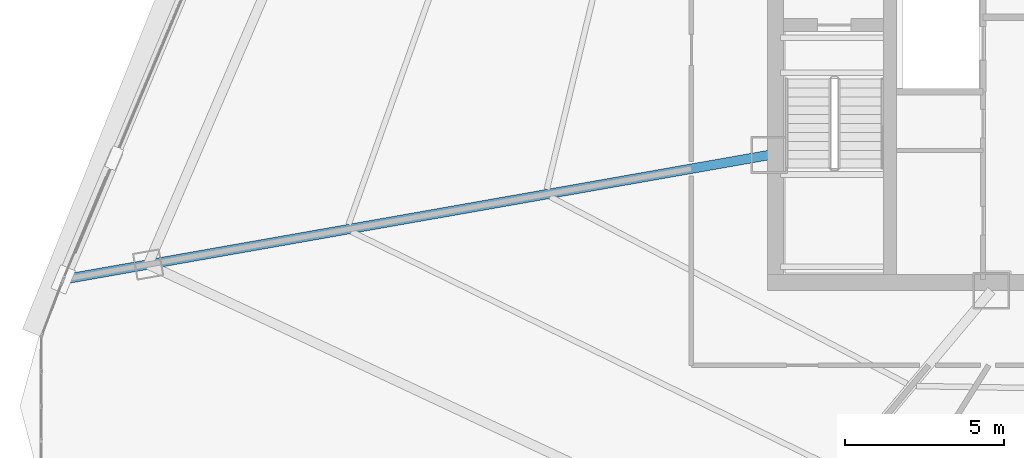
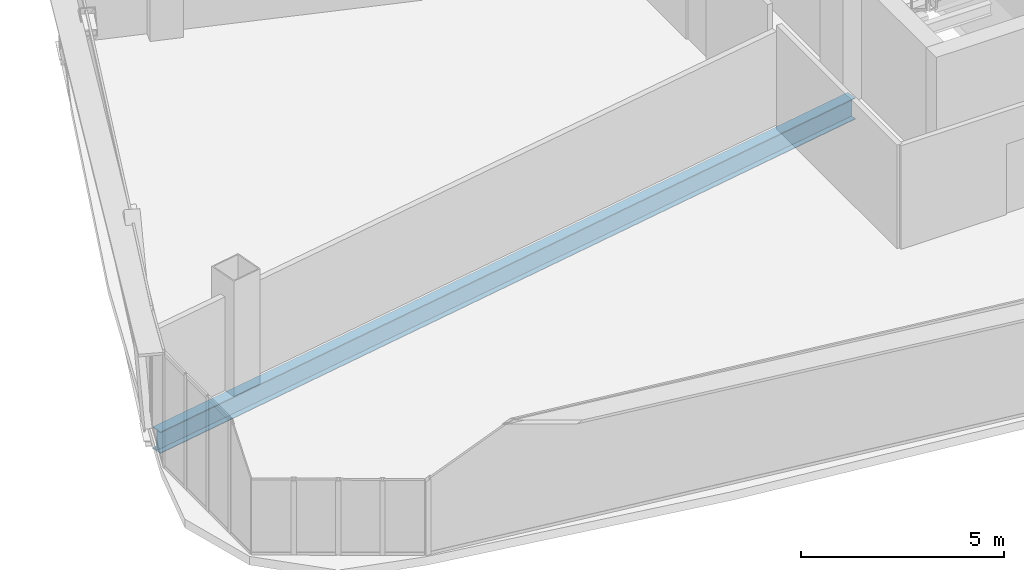
# One storey, part 5 of 37: 1 beam.
"""IFC4 building model written with IfcOpenShell, lengths in metres."""

from ifc_helpers import new_model, si_unit, direction, frame, origin, origin_2d, place, context, subcontext, project, spatial, i_section, extrude, source, transform, mapped, material, material_profile, profile_set, type_object, element, save


model = new_model("IFC4")

# Units and contexts
model_context = context("Model", 3, precision=1e-05, world=origin(), true_north=direction((0.0, 1.0)))
body_context = subcontext(model_context, "Body", "Model", "MODEL_VIEW")
ifc_project = project(units=[si_unit("LENGTHUNIT", "METRE"), si_unit("AREAUNIT", "SQUARE_METRE"), si_unit("VOLUMEUNIT", "CUBIC_METRE"), si_unit("PLANEANGLEUNIT", "RADIAN"), si_unit("MASSUNIT", "GRAM", prefix="KILO"), si_unit("THERMODYNAMICTEMPERATUREUNIT", "KELVIN"), si_unit("POWERUNIT", "WATT")], contexts=[model_context])

# Site, building, storey
site_placement = place(None, origin())
site = spatial("IfcSite", under=ifc_project, at=site_placement, CompositionType="ELEMENT")
building_placement = place(site_placement, origin())
building = spatial("IfcBuilding", under=site, at=building_placement, Name="Yunzhuo Pagoda Commons", CompositionType="ELEMENT")
storey_placement = place(building_placement, frame((0.0, 0.0, 240.800048828125)))
storey = spatial("IfcBuildingStorey", under=building, at=storey_placement, Name="L60", CompositionType="ELEMENT", Elevation=240.800048828125)

# Beam
ifc_material = material(Name="Structural steel Q355B", Category="steel")
ifc_material_profile = material_profile(ifc_material, i_section(OverallWidth=0.300048828125, OverallDepth=0.64990234375, WebThickness=0.012939453125, FlangeThickness=0.02197265625, at=origin_2d()), Name="Structural steel Q355B")
ifc_profile_set = profile_set([ifc_material_profile], Name="Structural steel Q355B")
beam_type = type_object("IfcBeamType", Name="B-RG2 Beam HN 650x300x13x22", PredefinedType="BEAM", material=ifc_profile_set)
shared_shape = source(origin(), body_context, "Body", "SweptSolid", [
    extrude(i_section(OverallWidth=0.300048828125, OverallDepth=0.64990234375, WebThickness=0.012939453125, FlangeThickness=0.02197265625, at=origin_2d()), origin(), (0.0, 0.0, 1.0), 22.39208984375),
])
beam_placement = place(storey_placement, frame((13.548095703125, 27.625244140625, -0.5849609375), z_axis=(0.984809122528, 0.173640410577, 0.0), x_axis=(-0.173640410577, 0.984809122528, 0.0)))
element("IfcBeam", 1, at=beam_placement, inside=storey, type_object=beam_type, Name="L60 radial floor girder F3C4", PredefinedType="BEAM", context=body_context, shape_type="MappedRepresentation", body=[
    mapped(shared_shape, transform((0.0, 0.0, 0.0), scale=1.0)),
])

save(model, "model.ifc")
